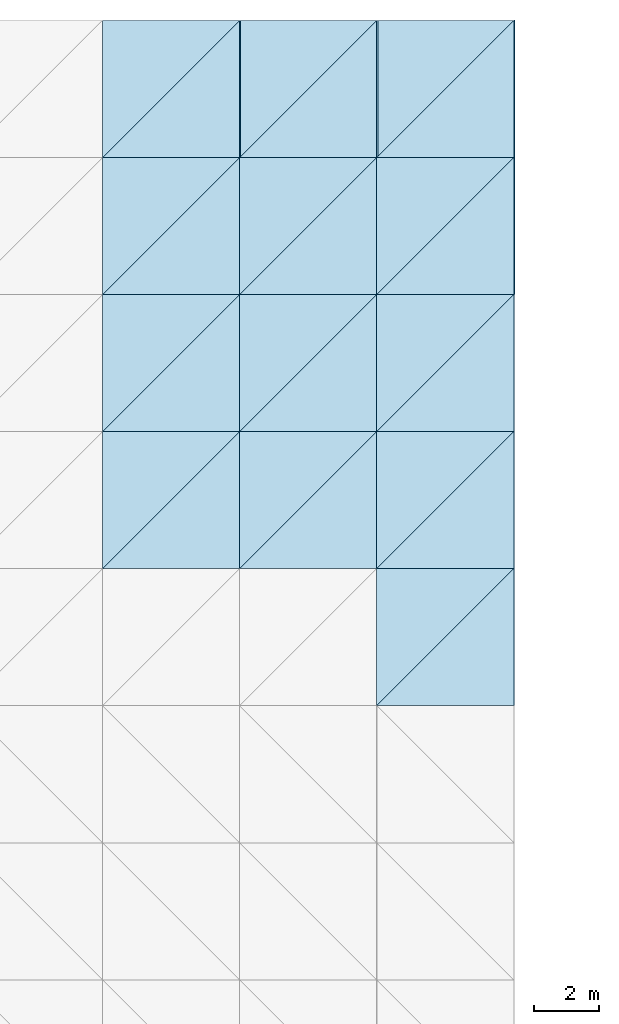
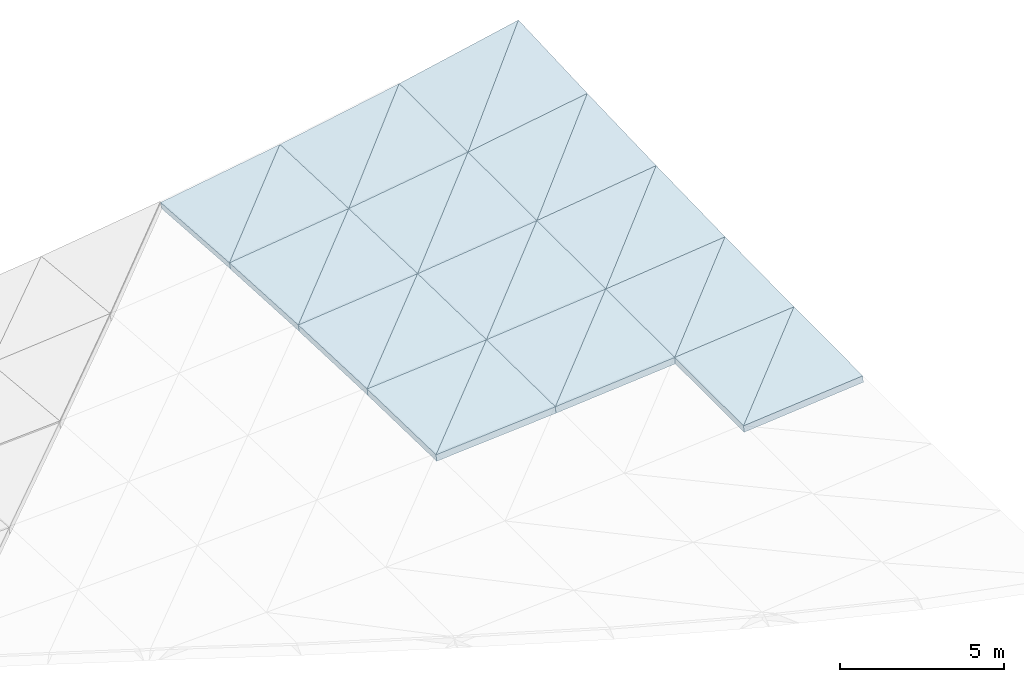
# One storey, part 29 of 64: 26 slabs.
"""IFC4 building model written with IfcOpenShell, lengths in metres."""

from ifc_helpers import new_model, si_unit, direction, frame, origin, place, context, subcontext, project, spatial, polyline, outline, extrude, material, layer, layer_set, type_object, element, save


model = new_model("IFC4")

# Units and contexts
model_context = context("Model", 3, precision=1e-05, world=origin(), true_north=direction((0.0, 1.0)))
body_context = subcontext(model_context, "Body", "Model", "MODEL_VIEW")
ifc_project = project(units=[si_unit("LENGTHUNIT", "METRE"), si_unit("AREAUNIT", "SQUARE_METRE"), si_unit("VOLUMEUNIT", "CUBIC_METRE"), si_unit("PLANEANGLEUNIT", "RADIAN"), si_unit("MASSUNIT", "GRAM", prefix="KILO")], contexts=[model_context])

# Site, building, storey
site_placement = place(None, origin())
site = spatial("IfcSite", under=ifc_project, at=site_placement, CompositionType="ELEMENT")
building_placement = place(site_placement, origin())
building = spatial("IfcBuilding", under=site, at=building_placement, Name="Cumbredor Promenade Congress Hotel", CompositionType="ELEMENT")
storey_placement = place(building_placement, frame((0.0, 0.0, 18.47998046875)))
storey = spatial("IfcBuildingStorey", under=building, at=storey_placement, Name="L05", CompositionType="ELEMENT", Elevation=18.47998046875)

# Slabs
ifc_material = material(Name="Concrete C40/50", Category="concrete")
ifc_layer = layer(ifc_material, 0.25, Name="Concrete C40/50", Category="concrete")
ifc_layer_set = layer_set([ifc_layer], Name="Concrete C40/50")
slab_type = type_object("IfcSlabType", Name="Catenary Space Frame Roof Deck 250mm", PredefinedType="ROOF", material=ifc_layer_set)
slab_1_placement = place(storey_placement, frame((159.60009765625, 105.0, 2.419921875), z_axis=(-0.075116823289, 0.012635391572, 0.99709468444), x_axis=(0.997174288611, 0.0, 0.075122820324)))
element("IfcSlab", 1, at=slab_1_placement, inside=storey, type_object=slab_type, Name="Pre-Function and Breakout Meeting Forum Sweeping Roof Deck Facet 18.7.1", PredefinedType="ROOF", context=body_context, shape_type="SweptSolid", body=[
    extrude(outline(polyline([(0.0, 0.0), (4.2118526518829285, 8.673617379884035e-19), (4.207854415840275, 4.200286479679813), (0.0, 0.0)])), origin(), (0.0, 0.0, -1.0), 0.25),
])
slab_2_placement = place(storey_placement, frame((159.60009765625, 105.0, 2.419921875), z_axis=(-0.086035794865, 0.023622210165, 0.99601196438), x_axis=(0.706413650347, 0.706413650347, 0.044266343956)))
element("IfcSlab", 2, at=slab_2_placement, inside=storey, type_object=slab_type, Name="Pre-Function and Breakout Meeting Forum Sweeping Roof Deck Facet 18.7.2", PredefinedType="ROOF", context=body_context, shape_type="SweptSolid", body=[
    extrude(outline(polyline([(0.0, 0.0), (5.945455852690148, -1.8388068845354155e-16), (2.9624934957478404, 2.9787823286325934), (0.0, 0.0)])), origin(), (0.0, 0.0, -1.0), 0.25),
])
slab_3_placement = place(storey_placement, frame((159.60009765625, 109.199951171875, 2.3203125), z_axis=(-0.086040902939, 0.020960166126, 0.996071099098), x_axis=(0.996289972461, 0.0, 0.086059809282)))
element("IfcSlab", 3, at=slab_3_placement, inside=storey, type_object=slab_type, Name="Pre-Function and Breakout Meeting Forum Sweeping Roof Deck Facet 18.8.1", PredefinedType="ROOF", context=body_context, shape_type="SweptSolid", body=[
    extrude(outline(polyline([(0.0, 0.0), (4.215591131064376, 2.6020852139652106e-18), (4.207985259247955, 4.200874055231607), (0.0, 0.0)])), origin(), (0.0, 0.0, -1.0), 0.25),
])
slab_4_placement = place(storey_placement, frame((159.60009765625, 109.199951171875, 2.3203125), z_axis=(-0.104156150302, 0.039224640075, 0.993787162307), x_axis=(0.706353330755, 0.706353330755, 0.046151319175)))
element("IfcSlab", 4, at=slab_4_placement, inside=storey, type_object=slab_type, Name="Pre-Function and Breakout Meeting Forum Sweeping Roof Deck Facet 18.8.2", PredefinedType="ROOF", context=body_context, shape_type="SweptSolid", body=[
    extrude(outline(polyline([(0.0, 0.0), (5.945963569512188, -1.6306400674181987e-16), (2.9589989265782908, 2.9851960377292817), (0.0, 0.0)])), origin(), (0.0, 0.0, -1.0), 0.25),
])
slab_5_placement = place(storey_placement, frame((159.60009765625, 113.39990234375, 2.154541015625), z_axis=(-0.104191626077, 0.029296774213, 0.994125648033), x_axis=(0.99455255237, 0.0, 0.104236368768)))
element("IfcSlab", 5, at=slab_5_placement, inside=storey, type_object=slab_type, Name="Pre-Function and Breakout Meeting Forum Sweeping Roof Deck Facet 18.9.1", PredefinedType="ROOF", context=body_context, shape_type="SweptSolid", body=[
    extrude(outline(polyline([(0.0, 0.0), (4.222955500808863, -1.734723475976807e-18), (4.210053196373902, 4.201998989531306), (0.0, 0.0)])), origin(), (0.0, 0.0, -1.0), 0.25),
])
slab_6_placement = place(storey_placement, frame((159.60009765625, 113.39990234375, 2.154541015625), z_axis=(-0.12926629515, 0.0546731266, 0.990101547401), x_axis=(0.706085156724, 0.706126201027, 0.053193417608)))
element("IfcSlab", 6, at=slab_6_placement, inside=storey, type_object=slab_type, Name="Pre-Function and Breakout Meeting Forum Sweeping Roof Deck Facet 18.9.2", PredefinedType="ROOF", context=body_context, shape_type="SweptSolid", body=[
    extrude(outline(polyline([(0.0, 0.0), (5.9482218708047725, -7.077671781985373e-16), (2.9535306190793778, 2.995344844457371), (0.0, 0.0)])), origin(), (0.0, 0.0, -1.0), 0.25),
])
slab_7_placement = place(storey_placement, frame((159.60009765625, 117.60009765625, 1.922607421875), z_axis=(-0.129368602084, 0.037554910311, 0.990885156568), x_axis=(0.991584654556, 0.0, 0.129459927579)))
element("IfcSlab", 7, at=slab_7_placement, inside=storey, type_object=slab_type, Name="Pre-Function and Breakout Meeting Forum Sweeping Roof Deck Facet 18.10.1", PredefinedType="ROOF", context=body_context, shape_type="SweptSolid", body=[
    extrude(outline(polyline([(0.0, 0.0), (4.235595168376927, 0.0), (4.2149877775612055, 4.2029160537049215), (0.0, 0.0)])), origin(), (0.0, 0.0, -1.0), 0.25),
])
slab_8_placement = place(storey_placement, frame((159.60009765625, 117.60009765625, 1.922607421875), z_axis=(-0.161202032939, 0.069985831127, 0.984436838003), x_axis=(0.705593924591, 0.705593924591, 0.0653791034)))
element("IfcSlab", 8, at=slab_8_placement, inside=storey, type_object=slab_type, Name="Pre-Function and Breakout Meeting Forum Sweeping Roof Deck Facet 18.10.2", PredefinedType="ROOF", context=body_context, shape_type="SweptSolid", body=[
    extrude(outline(polyline([(0.0, 0.0), (5.952363002999809, -2.7755575615628914e-16), (2.9439388772643427, 3.0103099722106696), (0.0, 0.0)])), origin(), (0.0, 0.0, -1.0), 0.25),
])
slab_9_placement = place(storey_placement, frame((163.800048828125, 105.0, 2.736328125), z_axis=(-0.086577137099, -0.000115822257, 0.996245143485), x_axis=(0.996245150167, 0.0, 0.086577137679)))
element("IfcSlab", 9, at=slab_9_placement, inside=storey, type_object=slab_type, Name="Pre-Function and Breakout Meeting Forum Sweeping Roof Deck Facet 19.7.1", PredefinedType="ROOF", context=body_context, shape_type="SweptSolid", body=[
    extrude(outline(polyline([(0.0, 0.0), (4.215780795691743, -6.776263578034403e-21), (4.215823069684751, 4.199951200045743), (0.0, 0.0)])), origin(), (0.0, 0.0, -1.0), 0.25),
])
slab_10_placement = place(storey_placement, frame((163.800048828125, 105.0, 2.736328125), z_axis=(-0.099192297833, 0.012608700249, 0.994988396278), x_axis=(0.705771941474, 0.705771941474, 0.061416066755)))
element("IfcSlab", 10, at=slab_10_placement, inside=storey, type_object=slab_type, Name="Pre-Function and Breakout Meeting Forum Sweeping Roof Deck Facet 19.7.2", PredefinedType="ROOF", context=body_context, shape_type="SweptSolid", body=[
    extrude(outline(polyline([(0.0, 0.0), (5.950861638254735, 1.0408340855860843e-17), (2.9609389664616605, 2.979137951515748), (0.0, 0.0)])), origin(), (0.0, 0.0, -1.0), 0.25),
])
slab_11_placement = place(storey_placement, frame((163.800048828125, 109.199951171875, 2.68310546875), z_axis=(-0.099200182042, -0.000173528015, 0.995067482019), x_axis=(0.995067497, 0.0, 0.099200183535)))
element("IfcSlab", 11, at=slab_11_placement, inside=storey, type_object=slab_type, Name="Pre-Function and Breakout Meeting Forum Sweeping Roof Deck Facet 19.8.1", PredefinedType="ROOF", context=body_context, shape_type="SweptSolid", body=[
    extrude(outline(polyline([(0.0, 0.0), (4.220770133217833, 0.0), (4.2208427896022584, 4.199951235109408), (0.0, 0.0)])), origin(), (0.0, 0.0, -1.0), 0.25),
])
slab_12_placement = place(storey_placement, frame((163.800048828125, 109.199951171875, 2.68310546875), z_axis=(-0.120008746289, 0.020886137575, 0.992553106927), x_axis=(0.705350304462, 0.705350304462, 0.070440726796)))
element("IfcSlab", 12, at=slab_12_placement, inside=storey, type_object=slab_type, Name="Pre-Function and Breakout Meeting Forum Sweeping Roof Deck Facet 19.8.2", PredefinedType="ROOF", context=body_context, shape_type="SweptSolid", body=[
    extrude(outline(polyline([(0.0, 0.0), (5.954418882799095, -6.938893903907228e-18), (2.9562113634167675, 2.9846633063060417), (0.0, 0.0)])), origin(), (0.0, 0.0, -1.0), 0.25),
])
slab_13_placement = place(storey_placement, frame((163.800048828125, 113.39990234375, 2.5947265625), z_axis=(-0.120034927411, -0.000230822981, 0.992769642426), x_axis=(0.992769668873, 0.0, 0.120034930608)))
element("IfcSlab", 13, at=slab_13_placement, inside=storey, type_object=slab_type, Name="Pre-Function and Breakout Meeting Forum Sweeping Roof Deck Facet 19.9.1", PredefinedType="ROOF", context=body_context, shape_type="SweptSolid", body=[
    extrude(outline(polyline([(0.0, 0.0), (4.230539372383909, 0.0), (4.230656593995831, 4.200195424391629), (0.0, 0.0)])), origin(), (0.0, 0.0, -1.0), 0.25),
])
slab_14_placement = place(storey_placement, frame((163.800048828125, 113.39990234375, 2.5947265625), z_axis=(-0.148870309727, 0.029128853663, 0.988427610281), x_axis=(0.704506392409, 0.70454734494, 0.0853450748)))
element("IfcSlab", 14, at=slab_14_placement, inside=storey, type_object=slab_type, Name="Pre-Function and Breakout Meeting Forum Sweeping Roof Deck Facet 19.9.2", PredefinedType="ROOF", context=body_context, shape_type="SweptSolid", body=[
    extrude(outline(polyline([(0.0, 0.0), (5.961551544640103, -3.7470027081099033e-16), (2.9486725023014553, 2.9937088121013242), (0.0, 0.0)])), origin(), (0.0, 0.0, -1.0), 0.25),
])
slab_15_placement = place(storey_placement, frame((163.800048828125, 117.60009765625, 2.470947265625), z_axis=(-0.148933495384, -0.000402367606, 0.988847132803), x_axis=(0.98884721285, 0.0, 0.14893350744)))
element("IfcSlab", 15, at=slab_15_placement, inside=storey, type_object=slab_type, Name="Pre-Function and Breakout Meeting Forum Sweeping Roof Deck Facet 19.10.1", PredefinedType="ROOF", context=body_context, shape_type="SweptSolid", body=[
    extrude(outline(polyline([(0.0, 0.0), (4.247320634872833, 0.0), (4.247575159909963, 4.199951511860439), (0.0, 0.0)])), origin(), (0.0, 0.0, -1.0), 0.25),
])
slab_16_placement = place(storey_placement, frame((163.800048828125, 117.60009765625, 2.470947265625), z_axis=(-0.185508201988, 0.037215799291, 0.981937722709), x_axis=(0.703109176674, 0.703109176674, 0.106183668023)))
element("IfcSlab", 16, at=slab_16_placement, inside=storey, type_object=slab_type, Name="Pre-Function and Breakout Meeting Forum Sweeping Roof Deck Facet 19.10.2", PredefinedType="ROOF", context=body_context, shape_type="SweptSolid", body=[
    extrude(outline(polyline([(0.0, 0.0), (5.973398315955745, -2.220446049250313e-16), (2.9361219274327848, 3.0073436860949525), (0.0, 0.0)])), origin(), (0.0, 0.0, -1.0), 0.25),
])
slab_17_placement = place(storey_placement, frame((168.0, 100.800048828125, 3.10107421875), z_axis=(-0.093237412623, -0.004861541068, 0.995632035596), x_axis=(0.995643801478, 0.0, 0.093238514456)))
element("IfcSlab", 17, at=slab_17_placement, inside=storey, type_object=slab_type, Name="Pre-Function and Breakout Meeting Forum Sweeping Roof Deck Facet 20.6.1", PredefinedType="ROOF", context=body_context, shape_type="SweptSolid", body=[
    extrude(outline(polyline([(0.0, 0.0), (4.21832704189911, 2.168404344971009e-19), (4.220239159871347, 4.20000080479904), (0.0, 0.0)])), origin(), (0.0, 0.0, -1.0), 0.25),
])
slab_18_placement = place(storey_placement, frame((168.0, 100.800048828125, 3.10107421875), z_axis=(-0.09799722413, -5.7849601e-05, 0.995186686364), x_axis=(0.705396850563, 0.705396850563, 0.069502276446)))
element("IfcSlab", 18, at=slab_18_placement, inside=storey, type_object=slab_type, Name="Pre-Function and Breakout Meeting Forum Sweeping Roof Deck Facet 20.6.2", PredefinedType="ROOF", context=body_context, shape_type="SweptSolid", body=[
    extrude(outline(polyline([(0.0, 0.0), (5.954025976330989, -8.326672684688674e-17), (2.9626492974888015, 2.976961377953691), (0.0, 0.0)])), origin(), (0.0, 0.0, -1.0), 0.25),
])
slab_19_placement = place(storey_placement, frame((168.0, 105.0, 3.101318359375), z_axis=(-0.097986977301, -0.014460888031, 0.995082627221), x_axis=(0.995186688029, 0.0, 0.097997224294)))
element("IfcSlab", 19, at=slab_19_placement, inside=storey, type_object=slab_type, Name="Pre-Function and Breakout Meeting Forum Sweeping Roof Deck Facet 20.7.1", PredefinedType="ROOF", context=body_context, shape_type="SweptSolid", body=[
    extrude(outline(polyline([(0.0, 0.0), (4.2202646221, 0.0), (4.226245897996822, 4.200390381949195), (0.0, 0.0)])), origin(), (0.0, 0.0, -1.0), 0.25),
])
slab_20_placement = place(storey_placement, frame((168.0, 105.0, 3.101318359375), z_axis=(-0.112174797087, -0.000115525023, 0.993688483154), x_axis=(0.704860130672, 0.704860130672, 0.079651694125)))
element("IfcSlab", 20, at=slab_20_placement, inside=storey, type_object=slab_type, Name="Pre-Function and Breakout Meeting Forum Sweeping Roof Deck Facet 20.7.2", PredefinedType="ROOF", context=body_context, shape_type="SweptSolid", body=[
    extrude(outline(polyline([(0.0, 0.0), (5.9585597044173575, 1.6653345369377348e-16), (2.9604170242543435, 2.9791812846917898), (0.0, 0.0)])), origin(), (0.0, 0.0, -1.0), 0.25),
])
slab_21_placement = place(storey_placement, frame((168.0, 109.199951171875, 3.101806640625), z_axis=(-0.112142114967, -0.024137695189, 0.993398972076), x_axis=(0.993688489785, 0.0, 0.112174797835)))
element("IfcSlab", 21, at=slab_21_placement, inside=storey, type_object=slab_type, Name="Pre-Function and Breakout Meeting Forum Sweeping Roof Deck Facet 20.8.1", PredefinedType="ROOF", context=body_context, shape_type="SweptSolid", body=[
    extrude(outline(polyline([(0.0, 0.0), (4.226627574990832, -1.734723475976807e-18), (4.238075100746492, 4.201175212037935), (0.0, 0.0)])), origin(), (0.0, 0.0, -1.0), 0.25),
])
slab_22_placement = place(storey_placement, frame((168.0, 109.199951171875, 3.101806640625), z_axis=(-0.135742825348, -0.000172774067, 0.99074409184), x_axis=(0.703803171177, 0.703803171177, 0.096551501713)))
element("IfcSlab", 22, at=slab_22_placement, inside=storey, type_object=slab_type, Name="Pre-Function and Breakout Meeting Forum Sweeping Roof Deck Facet 20.8.2", PredefinedType="ROOF", context=body_context, shape_type="SweptSolid", body=[
    extrude(outline(polyline([(0.0, 0.0), (5.967508166882504, -4.85722573273506e-17), (2.9560096699850087, 2.9835544596221317), (0.0, 0.0)])), origin(), (0.0, 0.0, -1.0), 0.25),
])
slab_23_placement = place(storey_placement, frame((168.0, 113.39990234375, 3.1025390625), z_axis=(-0.135665862375, -0.033669883897, 0.990182363358), x_axis=(0.990744106627, 0.0, 0.135742827374)))
element("IfcSlab", 23, at=slab_23_placement, inside=storey, type_object=slab_type, Name="Pre-Function and Breakout Meeting Forum Sweeping Roof Deck Facet 20.9.1", PredefinedType="ROOF", context=body_context, shape_type="SweptSolid", body=[
    extrude(outline(polyline([(0.0, 0.0), (4.23918865000686, -3.469446951953614e-18), (4.258575748154802, 4.202578137659148), (0.0, 0.0)])), origin(), (0.0, 0.0, -1.0), 0.25),
])
slab_24_placement = place(storey_placement, frame((168.0, 113.39990234375, 3.1025390625), z_axis=(-0.16834670319, -0.000229185729, 0.985727819938), x_axis=(0.701972557578, 0.702013362819, 0.12004901845)))
element("IfcSlab", 24, at=slab_24_placement, inside=storey, type_object=slab_type, Name="Pre-Function and Breakout Meeting Forum Sweeping Roof Deck Facet 20.9.2", PredefinedType="ROOF", context=body_context, shape_type="SweptSolid", body=[
    extrude(outline(polyline([(0.0, 0.0), (5.98307031597514, 2.220446049250313e-16), (2.948710471194134, 2.9911115281599514), (0.0, 0.0)])), origin(), (0.0, 0.0, -1.0), 0.25),
])
slab_25_placement = place(storey_placement, frame((168.0, 117.60009765625, 3.103515625), z_axis=(-0.168190640377, -0.043049476366, 0.98481401852), x_axis=(0.985727845826, 0.0, 0.168346707611)))
element("IfcSlab", 25, at=slab_25_placement, inside=storey, type_object=slab_type, Name="Pre-Function and Breakout Meeting Forum Sweeping Roof Deck Facet 20.10.1", PredefinedType="ROOF", context=body_context, shape_type="SweptSolid", body=[
    extrude(outline(polyline([(0.0, 0.0), (4.260761415699167, 0.0), (4.29166881904967, 4.2038483849434165), (0.0, 0.0)])), origin(), (0.0, 0.0, -1.0), 0.25),
])
slab_26_placement = place(storey_placement, frame((168.0, 117.60009765625, 3.103515625), z_axis=(-0.209346621689, -0.000397889316, 0.9778414154), x_axis=(0.699111124107, 0.699111124107, 0.149957568329)))
element("IfcSlab", 26, at=slab_26_placement, inside=storey, type_object=slab_type, Name="Pre-Function and Breakout Meeting Forum Sweeping Roof Deck Facet 20.10.2", PredefinedType="ROOF", context=body_context, shape_type="SweptSolid", body=[
    extrude(outline(polyline([(0.0, 0.0), (6.0075587800698695, 1.1102230246251565e-16), (2.9364888601062624, 3.0027697116551595), (0.0, 0.0)])), origin(), (0.0, 0.0, -1.0), 0.25),
])

save(model, "model.ifc")
